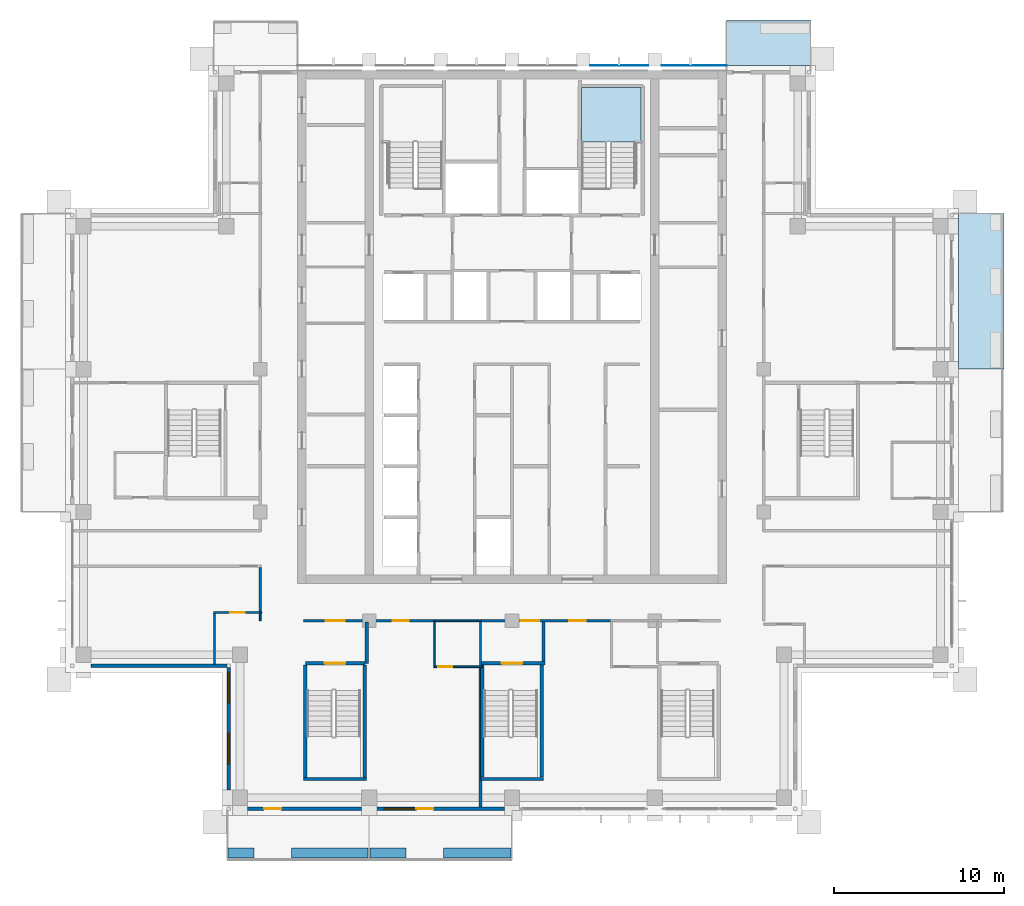
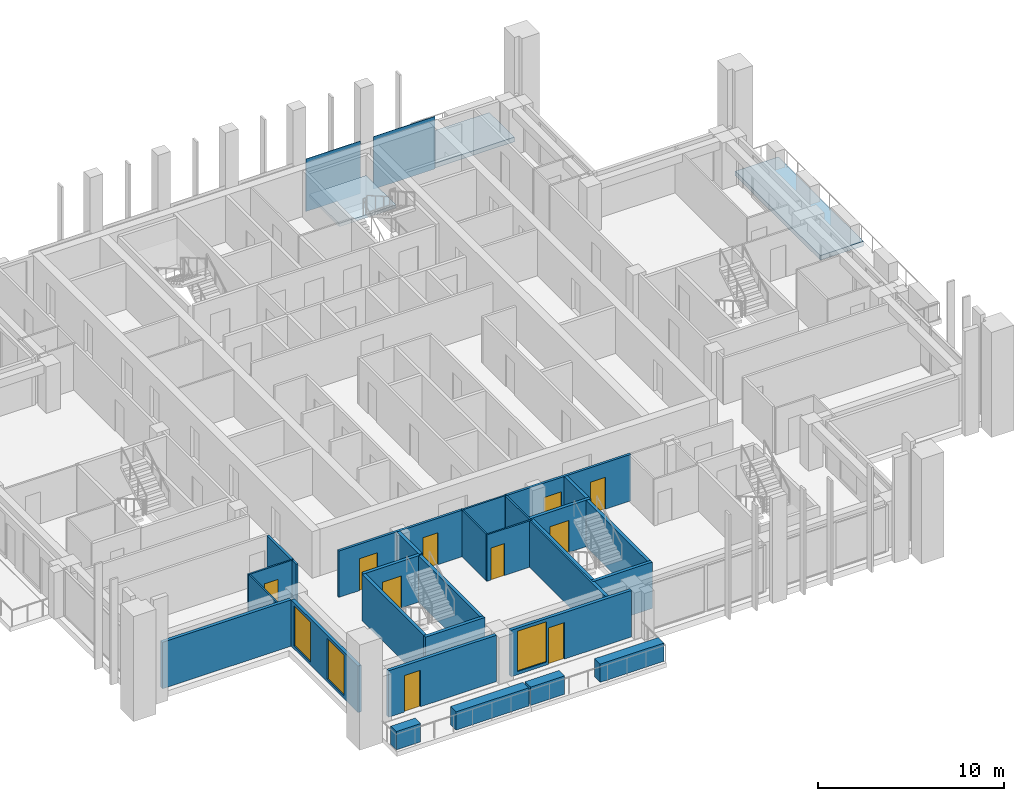
# One storey, part 6 of 16: 29 walls, 10 doors, 3 slabs, 3 windows, 2 plates, 13 openings, 1 element without a shape of its own.
"""IFC4 building model written with IfcOpenShell, lengths in metres."""

from ifc_helpers import new_model, si_unit, direction, frame, frame_2d, origin, origin_2d, place, context, subcontext, project, spatial, polyline, rectangle, outline, extrude, material, layer, layer_set, type_object, element, fill, aggregate, save


model = new_model("IFC4")

# Units and contexts
model_context = context("Model", 3, precision=1e-05, world=origin(), true_north=direction((0.0, 1.0)))
body_context = subcontext(model_context, "Body", "Model", "MODEL_VIEW")
ifc_project = project(units=[si_unit("LENGTHUNIT", "METRE"), si_unit("AREAUNIT", "SQUARE_METRE"), si_unit("VOLUMEUNIT", "CUBIC_METRE"), si_unit("PLANEANGLEUNIT", "RADIAN"), si_unit("MASSUNIT", "GRAM", prefix="KILO")], contexts=[model_context])

# Site, building, storey
site_placement = place(None, origin())
site = spatial("IfcSite", under=ifc_project, at=site_placement, CompositionType="ELEMENT")
building_placement = place(site_placement, origin())
building = spatial("IfcBuilding", under=site, at=building_placement, Name="Vermilion Ogive Tower", CompositionType="ELEMENT")
storey_placement = place(building_placement, frame((0.0, 0.0, 247.60009765625)))
storey = spatial("IfcBuildingStorey", under=building, at=storey_placement, Name="L65", CompositionType="ELEMENT", Elevation=247.60009765625)

# Slabs
ifc_material_1 = material(Name="Concrete B40", Category="concrete")
ifc_layer_1 = layer(ifc_material_1, 0.300048828125)
ifc_layer_set_1 = layer_set([ifc_layer_1], Name="Balcony slab")
slab_type_1 = type_object("IfcSlabType", Name="Balcony slab", PredefinedType="FLOOR", material=ifc_layer_set_1)
slab_1_placement = place(storey_placement, frame((0.0, 0.0, -0.340087890625)))
element("IfcSlab", 1, at=slab_1_placement, inside=storey, type_object=slab_type_1, Name="Balcony slab E03", PredefinedType="FLOOR", context=body_context, shape_type="SweptSolid", body=[
    extrude(outline(polyline([(28.93359375, 4.199951171875), (28.93359375, 13.35009765625), (26.25, 13.35009765625), (26.25, 4.199951171875), (28.93359375, 4.199951171875)])), origin(), (0.0, 0.0, 1.0), 0.300048828125),
])
slab_2_placement = place(storey_placement, frame((0.0, 0.0, -0.340087890625)))
element("IfcSlab", 2, at=slab_2_placement, inside=storey, type_object=slab_type_1, Name="Balcony slab N101", PredefinedType="FLOOR", context=body_context, shape_type="SweptSolid", body=[
    extrude(outline(polyline([(17.550048828125, 24.733642578125), (12.60009765625, 24.733642578125), (12.60009765625, 22.050048828125), (17.550048828125, 22.050048828125), (17.550048828125, 24.733642578125)])), origin(), (0.0, 0.0, 1.0), 0.300048828125),
])

# Plates
ifc_material_2 = material(Name="Low-iron laminated glazing in aluminium frame", Category="aluminium")
ifc_layer_2 = layer(ifc_material_2, 0.031982421875)
ifc_layer_set_2 = layer_set([ifc_layer_2], Name="Glazed rainscreen sheet 32")
plate_type = type_object("IfcPlateType", Name="Glazed rainscreen sheet 32", PredefinedType="SHEET", material=ifc_layer_set_2)
plate_1_placement = place(storey_placement, frame((6.300048828125, 22.06591796875, -0.39990234375), z_axis=(0.0, 0.0, 1.0), x_axis=(1.0, 0.0, 0.0)))
element("IfcPlate", 3, at=plate_1_placement, inside=storey, type_object=plate_type, Name="Glazed rainscreen sheet N5", PredefinedType="SHEET", context=body_context, shape_type="SweptSolid", body=[
    extrude(rectangle(XDim=3.39990234375, YDim=0.031982421875, at=origin_2d()), origin(), (0.0, 0.0, 1.0), 3.449951171875),
])
plate_2_placement = place(storey_placement, frame((10.7099609375, 22.06591796875, -0.39990234375), z_axis=(0.0, 0.0, 1.0), x_axis=(1.0, 0.0, 0.0)))
element("IfcPlate", 4, at=plate_2_placement, inside=storey, type_object=plate_type, Name="Glazed rainscreen sheet N6", PredefinedType="SHEET", context=body_context, shape_type="SweptSolid", body=[
    extrude(rectangle(XDim=3.820068359375, YDim=0.031982421875, at=origin_2d()), origin(), (0.0, 0.0, 1.0), 3.449951171875),
])

# Stair, slab
ifc_material_3 = material(Name="Concrete B40", Category="concrete")
stair_type = type_object("IfcStairType", Name="Exit stair 1500", PredefinedType="HALF_TURN_STAIR", material=ifc_material_3)
stair_placement = place(storey_placement, origin())
stair = element("IfcStair", 5, at=stair_placement, inside=storey, type_object=stair_type, Name="L65 Exit Stair ST2", PredefinedType="HALF_TURN_STAIR")
ifc_material_4 = material(Name="Concrete B40", Category="concrete")
ifc_layer_3 = layer(ifc_material_4, 0.199951171875)
ifc_layer_set_3 = layer_set([ifc_layer_3], Name="Stair landing 200")
slab_type_2 = type_object("IfcSlabType", Name="Stair landing 200", PredefinedType="LANDING", material=ifc_layer_set_3)
slab_3_placement = place(storey_placement, frame((0.0, 0.0, 1.52490234375)))
slab_3 = element("IfcSlab", 6, at=slab_3_placement, type_object=slab_type_2, Name="ST2 landing 1", PredefinedType="LANDING", context=body_context, shape_type="SweptSolid", body=[
    extrude(outline(polyline([(5.60009765625, 17.550048828125), (5.75, 17.550048828125), (5.75, 17.548095703125), (7.25, 17.548095703125), (7.25, 17.550048828125), (7.60009765625, 17.550048828125), (7.60009765625, 20.75), (4.074951171875, 20.75), (4.074951171875, 17.550048828125), (4.10009765625, 17.550048828125), (4.10009765625, 17.548095703125), (5.60009765625, 17.548095703125), (5.60009765625, 17.550048828125)])), origin(), (0.0, 0.0, 1.0), 0.199951171875),
])
aggregate(stair, [slab_3])

# Wall, opening, door
ifc_material_5 = material(Name="Gypsum board partition on steel studs", Category="steel")
ifc_layer_4 = layer(ifc_material_5, 0.10009765625)
ifc_layer_set_4 = layer_set([ifc_layer_4], Name="Partition 100 bath")
wall_type_1 = type_object("IfcWallType", Name="Partition 100 bath", PredefinedType="PARTITIONING", material=ifc_layer_set_4)
wall_1_placement = place(storey_placement, frame((-4.60009765625, -13.300048828125, 0.0), z_axis=(0.0, 0.0, 1.0), x_axis=(1.0, 0.0, 0.0)))
wall_1 = element("IfcWall", 7, at=wall_1_placement, inside=storey, type_object=wall_type_1, Name="L65-W-W002", PredefinedType="PARTITIONING", context=body_context, shape_type="SweptSolid", body=[
    extrude(rectangle(XDim=2.85009765625, YDim=0.10009765625, at=frame_2d((1.425048828125, 0.0))), origin(), (0.0, 0.0, 1.0), 3.0498046875),
])
opening_1_placement = place(wall_1_placement, frame((0.25, 0.0, 0.0)))
opening_1 = element("IfcOpeningElement", 8, at=opening_1_placement, cuts=wall_1, Name="Opening D5G4009", PredefinedType="OPENING", context=body_context, shape_type="SweptSolid", body=[
    extrude(rectangle(XDim=0.85009765625, YDim=2.10009765625, at=frame_2d((0.425048828125, 1.050048828125))), frame((0.0, 0.06005859375, 0.0), z_axis=(0.0, -1.0, 0.0), x_axis=(1.0, 0.0, 0.0)), (0.0, 0.0, 1.0), 0.1201171875),
])
ifc_material_6 = material(Name="Timber door leaf", Category="wood")
door_type_1 = type_object("IfcDoorType", Name="Bath door 850 x 2100 FD30", OperationType="SINGLE_SWING_LEFT", PredefinedType="DOOR", material=ifc_material_6)
door_1_placement = place(opening_1_placement, origin())
door_1 = element("IfcDoor", 9, at=door_1_placement, inside=storey, type_object=door_type_1, Name="L65-D-D009", OperationType="SINGLE_SWING_LEFT", OverallHeight=2.10009765625, OverallWidth=0.85009765625, PredefinedType="DOOR", context=body_context, shape_type="SweptSolid", body=[
    extrude(rectangle(XDim=0.85009765625, YDim=2.10009765625, at=frame_2d((0.425048828125, 1.050048828125))), frame((0.0, 0.02490234375, 0.0), z_axis=(0.0, -1.0, 0.0), x_axis=(1.0, 0.0, 0.0)), (0.0, 0.0, 1.0), 0.050048828125),
])
fill(opening_1, door_1)

# Wall
wall_2_placement = place(storey_placement, frame((-4.60009765625, -10.60009765625, 0.0), z_axis=(0.0, 0.0, 1.0), x_axis=(1.0, 0.0, 0.0)))
element("IfcWall", 10, at=wall_2_placement, inside=storey, type_object=wall_type_1, Name="L65-W-W009", PredefinedType="PARTITIONING", context=body_context, shape_type="SweptSolid", body=[
    extrude(rectangle(XDim=2.800048828125, YDim=0.10009765625, at=frame_2d((1.39990234375, 0.0))), origin(), (0.0, 0.0, 1.0), 3.0498046875),
])

# Wall, opening, door
wall_3_placement = place(storey_placement, frame((-17.550048828125, -10.110107421875, 0.0), z_axis=(0.0, 0.0, 1.0), x_axis=(1.0, 0.0, 0.0)))
wall_3 = element("IfcWall", 11, at=wall_3_placement, inside=storey, type_object=wall_type_1, Name="L65-W-W013", PredefinedType="PARTITIONING", context=body_context, shape_type="SweptSolid", body=[
    extrude(rectangle(XDim=2.824951171875, YDim=0.10009765625, at=frame_2d((1.41259765625, 0.0))), origin(), (0.0, 0.0, 1.0), 3.0498046875),
])
opening_2_placement = place(wall_3_placement, frame((0.97509765625, 0.0, 0.0)))
opening_2 = element("IfcOpeningElement", 12, at=opening_2_placement, cuts=wall_3, Name="Opening D5G4002", PredefinedType="OPENING", context=body_context, shape_type="SweptSolid", body=[
    extrude(rectangle(XDim=0.85009765625, YDim=2.10009765625, at=frame_2d((0.425048828125, 1.050048828125))), frame((0.0, 0.06005859375, 0.0), z_axis=(0.0, -1.0, 0.0), x_axis=(1.0, 0.0, 0.0)), (0.0, 0.0, 1.0), 0.1201171875),
])
door_2_placement = place(opening_2_placement, origin())
door_2 = element("IfcDoor", 13, at=door_2_placement, inside=storey, type_object=door_type_1, Name="L65-D-D002", OperationType="SINGLE_SWING_RIGHT", OverallHeight=2.10009765625, OverallWidth=0.85009765625, PredefinedType="DOOR", context=body_context, shape_type="SweptSolid", body=[
    extrude(rectangle(XDim=0.85009765625, YDim=2.10009765625, at=frame_2d((0.425048828125, 1.050048828125))), frame((0.0, 0.02490234375, 0.0), z_axis=(0.0, -1.0, 0.0), x_axis=(1.0, 0.0, 0.0)), (0.0, 0.0, 1.0), 0.050048828125),
])
fill(opening_2, door_2)

# Walls
wall_4_placement = place(storey_placement, frame((-17.5, -13.14990234375, 0.0), z_axis=(0.0, 0.0, 1.0), x_axis=(0.0, 1.0, 0.0)))
element("IfcWall", 14, at=wall_4_placement, inside=storey, type_object=wall_type_1, Name="L65-W-W038", PredefinedType="PARTITIONING", context=body_context, shape_type="SweptSolid", body=[
    extrude(rectangle(XDim=2.989990234375, YDim=0.10009765625, at=frame_2d((1.4951171875, 0.0))), origin(), (0.0, 0.0, 1.0), 3.0498046875),
])
wall_5_placement = place(storey_placement, frame((-14.800048828125, -10.60009765625, 0.0), z_axis=(0.0, 0.0, 1.0), x_axis=(0.0, 1.0, 0.0)))
element("IfcWall", 15, at=wall_5_placement, inside=storey, type_object=wall_type_1, Name="L65-W-W041", PredefinedType="PARTITIONING", context=body_context, shape_type="SweptSolid", body=[
    extrude(rectangle(XDim=0.440185546875, YDim=0.10009765625, at=frame_2d((0.22021484375, 0.0))), origin(), (0.0, 0.0, 1.0), 3.0498046875),
])
for number, where, z_axis, x_axis, name in (
    (16, (-4.550048828125, -13.25, 0.0), (0.0, 0.0, 1.0), (0.0, 1.0, 0.0), "L65-W-W047"),
    (17, (-1.85009765625, -13.25, 0.0), (0.0, 0.0, 1.0), (0.0, 1.0, 0.0), "L65-W-W049"),
):
    element("IfcWall", number, at=place(storey_placement, frame(where, z_axis=z_axis, x_axis=x_axis)), inside=storey, type_object=wall_type_1, Name=name, PredefinedType="PARTITIONING", context=body_context, shape_type="SweptSolid", body=[
        extrude(rectangle(XDim=2.574951171875, YDim=0.10009765625, at=frame_2d((1.28759765625, 0.0))), origin(), (0.0, 0.0, 1.0), 3.0498046875),
    ])

# Wall, openings, doors
ifc_material_7 = material(Name="Gypsum board partition on steel studs", Category="steel")
ifc_layer_5 = layer(ifc_material_7, 0.14990234375)
ifc_layer_set_5 = layer_set([ifc_layer_5], Name="Partition 150 corridor")
wall_type_2 = type_object("IfcWallType", Name="Partition 150 corridor", PredefinedType="PARTITIONING", material=ifc_layer_set_5)
wall_6_placement = place(storey_placement, frame((-12.25, -10.60009765625, 0.0), z_axis=(0.0, 0.0, 1.0), x_axis=(1.0, 0.0, 0.0)))
wall_6 = element("IfcWall", 18, at=wall_6_placement, inside=storey, type_object=wall_type_2, Name="L65-W-W008", PredefinedType="PARTITIONING", context=body_context, shape_type="SweptSolid", body=[
    extrude(rectangle(XDim=7.75, YDim=0.14990234375, at=frame_2d((3.875, 0.0))), origin(), (0.0, 0.0, 1.0), 3.0498046875),
])
opening_3_placement = place(wall_6_placement, frame((5.22509765625, 0.0, 0.0)))
opening_3 = element("IfcOpeningElement", 19, at=opening_3_placement, cuts=wall_6, Name="Opening D5G4008", PredefinedType="OPENING", context=body_context, shape_type="SweptSolid", body=[
    extrude(rectangle(XDim=0.949951171875, YDim=2.10009765625, at=frame_2d((0.47509765625, 1.050048828125))), frame((0.0, 0.0849609375, 0.0), z_axis=(0.0, -1.0, 0.0), x_axis=(1.0, 0.0, 0.0)), (0.0, 0.0, 1.0), 0.169921875),
])
opening_4_placement = place(wall_6_placement, frame((1.300048828125, 0.0, 0.0)))
opening_4 = element("IfcOpeningElement", 20, at=opening_4_placement, cuts=wall_6, Name="Opening D5G4020", PredefinedType="OPENING", context=body_context, shape_type="SweptSolid", body=[
    extrude(rectangle(XDim=1.10009765625, YDim=2.10009765625, at=frame_2d((0.550048828125, 1.050048828125))), frame((0.0, 0.0849609375, 0.0), z_axis=(0.0, -1.0, 0.0), x_axis=(1.0, 0.0, 0.0)), (0.0, 0.0, 1.0), 0.169921875),
])
ifc_material_8 = material(Name="Timber door leaf", Category="wood")
door_type_2 = type_object("IfcDoorType", Name="Stair door 1100 x 2100 FD60S", OperationType="SINGLE_SWING_LEFT", PredefinedType="DOOR", material=ifc_material_8)
door_3_placement = place(opening_4_placement, origin())
door_3 = element("IfcDoor", 21, at=door_3_placement, inside=storey, type_object=door_type_2, Name="L65-D-D020", OperationType="SINGLE_SWING_RIGHT", OverallHeight=2.10009765625, OverallWidth=1.10009765625, PredefinedType="DOOR", context=body_context, shape_type="SweptSolid", body=[
    extrude(rectangle(XDim=1.10009765625, YDim=2.10009765625, at=frame_2d((0.550048828125, 1.050048828125))), frame((0.0, 0.02490234375, 0.0), z_axis=(0.0, -1.0, 0.0), x_axis=(1.0, 0.0, 0.0)), (0.0, 0.0, 1.0), 0.050048828125),
])
fill(opening_4, door_3)
ifc_material_9 = material(Name="Timber door leaf", Category="wood")
door_type_3 = type_object("IfcDoorType", Name="Unit door 950 x 2100 FD30S", OperationType="SINGLE_SWING_LEFT", PredefinedType="DOOR", material=ifc_material_9)
door_4_placement = place(opening_3_placement, origin())
door_4 = element("IfcDoor", 22, at=door_4_placement, inside=storey, type_object=door_type_3, Name="L65-D-D008", OperationType="SINGLE_SWING_LEFT", OverallHeight=2.10009765625, OverallWidth=0.949951171875, PredefinedType="DOOR", context=body_context, shape_type="SweptSolid", body=[
    extrude(rectangle(XDim=0.949951171875, YDim=2.10009765625, at=frame_2d((0.47509765625, 1.050048828125))), frame((0.0, 0.02490234375, 0.0), z_axis=(0.0, -1.0, 0.0), x_axis=(1.0, 0.0, 0.0)), (0.0, 0.0, 1.0), 0.050048828125),
])
fill(opening_3, door_4)

wall_7_placement = place(storey_placement, frame((-1.89990234375, -10.60009765625, 0.0), z_axis=(0.0, 0.0, 1.0), x_axis=(1.0, 0.0, 0.0)))
wall_7 = element("IfcWall", 23, at=wall_7_placement, inside=storey, type_object=wall_type_2, Name="L65-W-W010", PredefinedType="PARTITIONING", context=body_context, shape_type="SweptSolid", body=[
    extrude(rectangle(XDim=7.7998046875, YDim=0.14990234375, at=frame_2d((3.89990234375, 0.0))), origin(), (0.0, 0.0, 1.0), 3.0498046875),
])
opening_5_placement = place(wall_7_placement, frame((5.27490234375, 0.0, 0.0)))
opening_5 = element("IfcOpeningElement", 24, at=opening_5_placement, cuts=wall_7, Name="Opening D5G4010", PredefinedType="OPENING", context=body_context, shape_type="SweptSolid", body=[
    extrude(rectangle(XDim=0.949951171875, YDim=2.10009765625, at=frame_2d((0.47509765625, 1.050048828125))), frame((0.0, 0.0849609375, 0.0), z_axis=(0.0, -1.0, 0.0), x_axis=(1.0, 0.0, 0.0)), (0.0, 0.0, 1.0), 0.169921875),
])
opening_6_placement = place(wall_7_placement, frame((2.39990234375, 0.0, 0.0)))
opening_6 = element("IfcOpeningElement", 25, at=opening_6_placement, cuts=wall_7, Name="Opening D5G4022", PredefinedType="OPENING", context=body_context, shape_type="SweptSolid", body=[
    extrude(rectangle(XDim=1.10009765625, YDim=2.10009765625, at=frame_2d((0.550048828125, 1.050048828125))), frame((0.0, 0.0849609375, 0.0), z_axis=(0.0, -1.0, 0.0), x_axis=(1.0, 0.0, 0.0)), (0.0, 0.0, 1.0), 0.169921875),
])
door_5_placement = place(opening_6_placement, origin())
door_5 = element("IfcDoor", 26, at=door_5_placement, inside=storey, type_object=door_type_2, Name="L65-D-D022", OperationType="SINGLE_SWING_LEFT", OverallHeight=2.10009765625, OverallWidth=1.10009765625, PredefinedType="DOOR", context=body_context, shape_type="SweptSolid", body=[
    extrude(rectangle(XDim=1.10009765625, YDim=2.10009765625, at=frame_2d((0.550048828125, 1.050048828125))), frame((0.0, 0.02490234375, 0.0), z_axis=(0.0, -1.0, 0.0), x_axis=(1.0, 0.0, 0.0)), (0.0, 0.0, 1.0), 0.050048828125),
])
fill(opening_6, door_5)
door_6_placement = place(opening_5_placement, origin())
door_6 = element("IfcDoor", 27, at=door_6_placement, inside=storey, type_object=door_type_3, Name="L65-D-D010", OperationType="SINGLE_SWING_LEFT", OverallHeight=2.10009765625, OverallWidth=0.949951171875, PredefinedType="DOOR", context=body_context, shape_type="SweptSolid", body=[
    extrude(rectangle(XDim=0.949951171875, YDim=2.10009765625, at=frame_2d((0.47509765625, 1.050048828125))), frame((0.0, 0.02490234375, 0.0), z_axis=(0.0, -1.0, 0.0), x_axis=(1.0, 0.0, 0.0)), (0.0, 0.0, 1.0), 0.050048828125),
])
fill(opening_5, door_6)

# Walls
wall_8_placement = place(storey_placement, frame((-14.800048828125, -10.06005859375, 0.0), z_axis=(0.0, 0.0, 1.0), x_axis=(0.0, 1.0, 0.0)))
element("IfcWall", 28, at=wall_8_placement, inside=storey, type_object=wall_type_2, Name="L65-W-W042", PredefinedType="PARTITIONING", context=body_context, shape_type="SweptSolid", body=[
    extrude(rectangle(XDim=2.5849609375, YDim=0.14990234375, at=frame_2d((1.29248046875, 0.0))), origin(), (0.0, 0.0, 1.0), 3.0498046875),
])
ifc_material_10 = material(Name="Gypsum board partition on steel studs", Category="steel")
ifc_layer_6 = layer(ifc_material_10, 0.199951171875)
ifc_layer_set_6 = layer_set([ifc_layer_6], Name="Partition 200 party")
wall_type_3 = type_object("IfcWallType", Name="Partition 200 party", PredefinedType="PARTITIONING", material=ifc_layer_set_6)
wall_9_placement = place(storey_placement, frame((-8.550048828125, -13.10009765625, 0.0), z_axis=(0.0, 0.0, 1.0), x_axis=(0.0, 1.0, 0.0)))
element("IfcWall", 29, at=wall_9_placement, inside=storey, type_object=wall_type_3, Name="L65-W-W046", PredefinedType="PARTITIONING", context=body_context, shape_type="SweptSolid", body=[
    extrude(rectangle(XDim=2.425048828125, YDim=0.199951171875, at=frame_2d((1.21240234375, 0.0))), origin(), (0.0, 0.0, 1.0), 3.0498046875),
])
wall_10_placement = place(storey_placement, frame((1.85009765625, -12.998046875, 0.0), z_axis=(0.0, 0.0, 1.0), x_axis=(0.0, 1.0, 0.0)))
element("IfcWall", 30, at=wall_10_placement, inside=storey, type_object=wall_type_3, Name="L65-W-W052", PredefinedType="PARTITIONING", context=body_context, shape_type="SweptSolid", body=[
    extrude(rectangle(XDim=2.322998046875, YDim=0.199951171875, at=frame_2d((1.16162109375, 0.0))), origin(), (0.0, 0.0, 1.0), 3.0498046875),
])
ifc_material_11 = material(Name="Concrete B60", Category="concrete")
ifc_layer_7 = layer(ifc_material_11, 0.199951171875)
ifc_layer_set_7 = layer_set([ifc_layer_7], Name="Stair shaft wall 200 Concrete B60")
wall_type_4 = type_object("IfcWallType", Name="Stair shaft wall 200 Concrete B60", PredefinedType="SOLIDWALL", material=ifc_layer_set_7)
wall_11_placement = place(storey_placement, frame((-1.847900390625, -19.89990234375, 0.0), z_axis=(0.0, 0.0, 1.0), x_axis=(1.0, 0.0, 0.0)))
element("IfcWall", 31, at=wall_11_placement, inside=storey, type_object=wall_type_4, Name="L65-W-W001", PredefinedType="SOLIDWALL", context=body_context, shape_type="SweptSolid", body=[
    extrude(rectangle(XDim=3.69580078125, YDim=0.199951171875, at=frame_2d((1.847900390625, 0.0))), origin(), (0.0, 0.0, 1.0), 3.0498046875),
])

# Wall, opening, door
wall_12_placement = place(storey_placement, frame((-12.14990234375, -13.10009765625, 0.0), z_axis=(0.0, 0.0, 1.0), x_axis=(1.0, 0.0, 0.0)))
wall_12 = element("IfcWall", 32, at=wall_12_placement, inside=storey, type_object=wall_type_4, Name="L65-W-W004", PredefinedType="SOLIDWALL", context=body_context, shape_type="SweptSolid", body=[
    extrude(rectangle(XDim=3.5, YDim=0.199951171875, at=frame_2d((1.75, 0.0))), origin(), (0.0, 0.0, 1.0), 3.0498046875),
])
opening_7_placement = place(wall_12_placement, frame((1.14990234375, 0.0, 0.0)))
opening_7 = element("IfcOpeningElement", 33, at=opening_7_placement, cuts=wall_12, Name="Opening D5G4021", PredefinedType="OPENING", context=body_context, shape_type="SweptSolid", body=[
    extrude(rectangle(XDim=1.199951171875, YDim=2.10009765625, at=frame_2d((0.60009765625, 1.050048828125))), frame((0.0, 0.10986328125, 0.0), z_axis=(0.0, -1.0, 0.0), x_axis=(1.0, 0.0, 0.0)), (0.0, 0.0, 1.0), 0.219970703125),
])
ifc_material_12 = material(Name="Timber door leaf", Category="wood")
door_type_4 = type_object("IfcDoorType", Name="Stair door 1200 x 2100 FD60S", OperationType="SINGLE_SWING_LEFT", PredefinedType="DOOR", material=ifc_material_12)
door_7_placement = place(opening_7_placement, origin())
door_7 = element("IfcDoor", 34, at=door_7_placement, inside=storey, type_object=door_type_4, Name="L65-D-D021", OperationType="SINGLE_SWING_RIGHT", OverallHeight=2.10009765625, OverallWidth=1.199951171875, PredefinedType="DOOR", context=body_context, shape_type="SweptSolid", body=[
    extrude(rectangle(XDim=1.199951171875, YDim=2.10009765625, at=frame_2d((0.60009765625, 1.050048828125))), frame((0.0, 0.02490234375, 0.0), z_axis=(0.0, -1.0, 0.0), x_axis=(1.0, 0.0, 0.0)), (0.0, 0.0, 1.0), 0.050048828125),
])
fill(opening_7, door_7)

wall_13_placement = place(storey_placement, frame((-1.798095703125, -13.10009765625, 0.0), z_axis=(0.0, 0.0, 1.0), x_axis=(1.0, 0.0, 0.0)))
wall_13 = element("IfcWall", 35, at=wall_13_placement, inside=storey, type_object=wall_type_4, Name="L65-W-W005", PredefinedType="SOLIDWALL", context=body_context, shape_type="SweptSolid", body=[
    extrude(rectangle(XDim=3.74609375, YDim=0.199951171875, at=frame_2d((1.873046875, 0.0))), origin(), (0.0, 0.0, 1.0), 3.0498046875),
])
opening_8_placement = place(wall_13_placement, frame((1.197998046875, 0.0, 0.0)))
opening_8 = element("IfcOpeningElement", 36, at=opening_8_placement, cuts=wall_13, Name="Opening D5G4023", PredefinedType="OPENING", context=body_context, shape_type="SweptSolid", body=[
    extrude(rectangle(XDim=1.199951171875, YDim=2.10009765625, at=frame_2d((0.60009765625, 1.050048828125))), frame((0.0, 0.10986328125, 0.0), z_axis=(0.0, -1.0, 0.0), x_axis=(1.0, 0.0, 0.0)), (0.0, 0.0, 1.0), 0.219970703125),
])
door_8_placement = place(opening_8_placement, origin())
door_8 = element("IfcDoor", 37, at=door_8_placement, inside=storey, type_object=door_type_4, Name="L65-D-D023", OperationType="SINGLE_SWING_RIGHT", OverallHeight=2.10009765625, OverallWidth=1.199951171875, PredefinedType="DOOR", context=body_context, shape_type="SweptSolid", body=[
    extrude(rectangle(XDim=1.199951171875, YDim=2.10009765625, at=frame_2d((0.60009765625, 1.050048828125))), frame((0.0, 0.02490234375, 0.0), z_axis=(0.0, -1.0, 0.0), x_axis=(1.0, 0.0, 0.0)), (0.0, 0.0, 1.0), 0.050048828125),
])
fill(opening_8, door_8)

# Walls
for number, where, z_axis, x_axis, name in (
    (38, (-1.75, -19.798095703125, 0.0), (0.0, 0.0, 1.0), (0.0, 1.0, 0.0), "L65-W-W050"),
    (39, (1.75, -19.798095703125, 0.0), (0.0, 0.0, 1.0), (0.0, 1.0, 0.0), "L65-W-W051"),
):
    element("IfcWall", number, at=place(storey_placement, frame(where, z_axis=z_axis, x_axis=x_axis)), inside=storey, type_object=wall_type_4, Name=name, PredefinedType="SOLIDWALL", context=body_context, shape_type="SweptSolid", body=[
        extrude(rectangle(XDim=6.59619140625, YDim=0.199951171875, at=frame_2d((3.298095703125, 0.0))), origin(), (0.0, 0.0, 1.0), 3.0498046875),
    ])
wall_14_placement = place(storey_placement, frame((-12.25, -19.89990234375, 0.0), z_axis=(0.0, 0.0, 1.0), x_axis=(1.0, 0.0, 0.0)))
element("IfcWall", 40, at=wall_14_placement, inside=storey, type_object=wall_type_4, Name="L65-SW-ST3-S1", PredefinedType="SOLIDWALL", context=body_context, shape_type="SweptSolid", body=[
    extrude(rectangle(XDim=3.699951171875, YDim=0.199951171875, at=frame_2d((1.85009765625, 0.0))), origin(), (0.0, 0.0, 1.0), 3.0498046875),
])
for number, where, z_axis, x_axis, name in (
    (41, (-12.14990234375, -19.800048828125, 0.0), (0.0, 0.0, 1.0), (0.0, 1.0, 0.0), "L65-SW-ST3-W1"),
    (42, (-8.64990234375, -19.800048828125, 0.0), (0.0, 0.0, 1.0), (0.0, 1.0, 0.0), "L65-SW-ST3-E1"),
):
    element("IfcWall", number, at=place(storey_placement, frame(where, z_axis=z_axis, x_axis=x_axis)), inside=storey, type_object=wall_type_4, Name=name, PredefinedType="SOLIDWALL", context=body_context, shape_type="SweptSolid", body=[
        extrude(rectangle(XDim=6.60009765625, YDim=0.199951171875, at=frame_2d((3.300048828125, 0.0))), origin(), (0.0, 0.0, 1.0), 3.0498046875),
    ])
wall_15_placement = place(storey_placement, frame((-1.85009765625, -21.550048828125, 0.0), z_axis=(0.0, 0.0, 1.0), x_axis=(0.0, 1.0, 0.0)))
element("IfcWall", 43, at=wall_15_placement, inside=storey, type_object=wall_type_4, Name="L65-W-W048-A", PredefinedType="SOLIDWALL", context=body_context, shape_type="SweptSolid", body=[
    extrude(rectangle(XDim=8.199951171875, YDim=0.199951171875, at=frame_2d((4.10009765625, 0.0))), origin(), (0.0, 0.0, 1.0), 3.0498046875),
])
ifc_material_13 = material(Name="Concrete B40", Category="concrete")
ifc_layer_8 = layer(ifc_material_13, 0.60009765625)
ifc_layer_set_8 = layer_set([ifc_layer_8], Name="Structural planter")
wall_type_5 = type_object("IfcWallType", Name="Structural planter", PredefinedType="USERDEFINED", material=ifc_layer_set_8)
wall_16_placement = place(storey_placement, frame((-16.68994140625, -24.253662109375, -0.0400390625), z_axis=(0.0, 0.0, 1.0), x_axis=(1.0, 0.0, 0.0)))
element("IfcWall", 44, at=wall_16_placement, inside=storey, type_object=wall_type_5, Name="Planter S01A1", ObjectType="PLANTER", PredefinedType="USERDEFINED", context=body_context, shape_type="SweptSolid", body=[
    extrude(rectangle(XDim=1.514892578125, YDim=0.60009765625, at=frame_2d((0.75732421875, 0.0))), origin(), (0.0, 0.0, 1.0), 1.199951171875),
])
wall_17_placement = place(storey_placement, frame((-12.97509765625, -24.253662109375, -0.0400390625), z_axis=(0.0, 0.0, 1.0), x_axis=(1.0, 0.0, 0.0)))
element("IfcWall", 45, at=wall_17_placement, inside=storey, type_object=wall_type_5, Name="Planter S01A2", ObjectType="PLANTER", PredefinedType="USERDEFINED", context=body_context, shape_type="SweptSolid", body=[
    extrude(rectangle(XDim=4.51513671875, YDim=0.60009765625, at=frame_2d((2.257568359375, 0.0))), origin(), (0.0, 0.0, 1.0), 1.199951171875),
])
wall_18_placement = place(storey_placement, frame((-8.340087890625, -24.253662109375, -0.0400390625), z_axis=(0.0, 0.0, 1.0), x_axis=(1.0, 0.0, 0.0)))
element("IfcWall", 46, at=wall_18_placement, inside=storey, type_object=wall_type_5, Name="Planter S02A1", ObjectType="PLANTER", PredefinedType="USERDEFINED", context=body_context, shape_type="SweptSolid", body=[
    extrude(rectangle(XDim=2.114990234375, YDim=0.60009765625, at=frame_2d((1.0576171875, 0.0))), origin(), (0.0, 0.0, 1.0), 1.199951171875),
])
wall_19_placement = place(storey_placement, frame((-4.02490234375, -24.253662109375, -0.0400390625), z_axis=(0.0, 0.0, 1.0), x_axis=(1.0, 0.0, 0.0)))
element("IfcWall", 47, at=wall_19_placement, inside=storey, type_object=wall_type_5, Name="Planter S02A2", ObjectType="PLANTER", PredefinedType="USERDEFINED", context=body_context, shape_type="SweptSolid", body=[
    extrude(rectangle(XDim=3.96484375, YDim=0.60009765625, at=frame_2d((1.982421875, 0.0))), origin(), (0.0, 0.0, 1.0), 1.199951171875),
])

# Wall, opening, door
ifc_material_14 = material(Name="Aluminium window wall framing", Category="aluminium")
ifc_layer_9 = layer(ifc_material_14, 0.199951171875)
ifc_layer_set_9 = layer_set([ifc_layer_9], Name="Window wall")
wall_type_6 = type_object("IfcWallType", Name="Window wall", PredefinedType="STANDARD", material=ifc_layer_set_9)
wall_20_placement = place(storey_placement, frame((-15.550048828125, -21.64990234375, 0.0), z_axis=(0.0, 0.0, 1.0), x_axis=(1.0, 0.0, 0.0)))
wall_20 = element("IfcWall", 48, at=wall_20_placement, inside=storey, type_object=wall_type_6, Name="Window wall S1", PredefinedType="STANDARD", context=body_context, shape_type="SweptSolid", body=[
    extrude(rectangle(XDim=6.699951171875, YDim=0.199951171875, at=frame_2d((3.35009765625, 0.0))), origin(), (0.0, 0.0, 1.0), 3.0498046875),
])
opening_9_placement = place(wall_20_placement, frame((0.97509765625, 0.0, 0.0)))
opening_9 = element("IfcOpeningElement", 49, at=opening_9_placement, cuts=wall_20, Name="Opening D1-S96K", PredefinedType="OPENING", context=body_context, shape_type="SweptSolid", body=[
    extrude(rectangle(XDim=1.0, YDim=2.39990234375, at=frame_2d((0.5, 1.199951171875))), frame((0.0, 0.10986328125, 0.0), z_axis=(0.0, -1.0, 0.0), x_axis=(1.0, 0.0, 0.0)), (0.0, 0.0, 1.0), 0.219970703125),
])
ifc_material_15 = material(Name="Aluminium framed glazed door", Category="aluminium")
door_type_5 = type_object("IfcDoorType", Name="Balcony door D1", OperationType="SINGLE_SWING_LEFT", PredefinedType="DOOR", material=ifc_material_15)
door_9_placement = place(opening_9_placement, origin())
door_9 = element("IfcDoor", 50, at=door_9_placement, inside=storey, type_object=door_type_5, Name="Balcony door S96K", OperationType="SINGLE_SWING_LEFT", OverallHeight=2.39990234375, OverallWidth=1.0, PredefinedType="DOOR", context=body_context, shape_type="SweptSolid", body=[
    extrude(rectangle(XDim=1.0, YDim=2.39990234375, at=frame_2d((0.5, 1.199951171875))), frame((0.0, 0.02490234375, 0.0), z_axis=(0.0, -1.0, 0.0), x_axis=(1.0, 0.0, 0.0)), (0.0, 0.0, 1.0), 0.050048828125),
])
fill(opening_9, door_9)

# Wall, openings, door, window
wall_21_placement = place(storey_placement, frame((-7.949951171875, -21.64990234375, 0.0), z_axis=(0.0, 0.0, 1.0), x_axis=(1.0, 0.0, 0.0)))
wall_21 = element("IfcWall", 51, at=wall_21_placement, inside=storey, type_object=wall_type_6, Name="Window wall S2", PredefinedType="STANDARD", context=body_context, shape_type="SweptSolid", body=[
    extrude(rectangle(XDim=7.5, YDim=0.199951171875, at=frame_2d((3.75, 0.0))), origin(), (0.0, 0.0, 1.0), 3.0498046875),
])
opening_10_placement = place(wall_21_placement, frame((0.425048828125, 0.0, 0.199951171875)))
opening_10 = element("IfcOpeningElement", 52, at=opening_10_placement, cuts=wall_21, Name="Opening W1-S98", PredefinedType="OPENING", context=body_context, shape_type="SweptSolid", body=[
    extrude(rectangle(XDim=1.800048828125, YDim=2.64990234375, at=frame_2d((0.89990234375, 1.324951171875))), frame((0.0, 0.10986328125, 0.0), z_axis=(0.0, -1.0, 0.0), x_axis=(1.0, 0.0, 0.0)), (0.0, 0.0, 1.0), 0.219970703125),
])
opening_11_placement = place(wall_21_placement, frame((2.324951171875, 0.0, 0.0)))
opening_11 = element("IfcOpeningElement", 53, at=opening_11_placement, cuts=wall_21, Name="Opening D1-S98", PredefinedType="OPENING", context=body_context, shape_type="SweptSolid", body=[
    extrude(rectangle(XDim=1.0, YDim=2.39990234375, at=frame_2d((0.5, 1.199951171875))), frame((0.0, 0.10986328125, 0.0), z_axis=(0.0, -1.0, 0.0), x_axis=(1.0, 0.0, 0.0)), (0.0, 0.0, 1.0), 0.219970703125),
])
door_10_placement = place(opening_11_placement, origin())
door_10 = element("IfcDoor", 54, at=door_10_placement, inside=storey, type_object=door_type_5, Name="Balcony door S98", OperationType="SINGLE_SWING_LEFT", OverallHeight=2.39990234375, OverallWidth=1.0, PredefinedType="DOOR", context=body_context, shape_type="SweptSolid", body=[
    extrude(rectangle(XDim=1.0, YDim=2.39990234375, at=frame_2d((0.5, 1.199951171875))), frame((0.0, 0.02490234375, 0.0), z_axis=(0.0, -1.0, 0.0), x_axis=(1.0, 0.0, 0.0)), (0.0, 0.0, 1.0), 0.050048828125),
])
fill(opening_11, door_10)
ifc_material_16 = material(Name="Aluminium framed double glazing", Category="aluminium")
window_type = type_object("IfcWindowType", Name="Guest window W1", PartitioningType="SINGLE_PANEL", PredefinedType="WINDOW", material=ifc_material_16)
window_1_placement = place(opening_10_placement, origin())
window_1 = element("IfcWindow", 55, at=window_1_placement, inside=storey, type_object=window_type, Name="Window S98", OverallHeight=2.64990234375, OverallWidth=1.800048828125, PartitioningType="SINGLE_PANEL", PredefinedType="WINDOW", context=body_context, shape_type="SweptSolid", body=[
    extrude(rectangle(XDim=1.800048828125, YDim=2.64990234375, at=frame_2d((0.89990234375, 1.324951171875))), frame((0.0, 0.030029296875, 0.0), z_axis=(0.0, -1.0, 0.0), x_axis=(1.0, 0.0, 0.0)), (0.0, 0.0, 1.0), 0.06005859375),
])
fill(opening_10, window_1)

# Wall
wall_22_placement = place(storey_placement, frame((-24.75, -13.25, 0.0), z_axis=(0.0, 0.0, 1.0), x_axis=(1.0, 0.0, 0.0)))
element("IfcWall", 56, at=wall_22_placement, inside=storey, type_object=wall_type_6, Name="Window wall X71", PredefinedType="STANDARD", context=body_context, shape_type="SweptSolid", body=[
    extrude(rectangle(XDim=8.0, YDim=0.199951171875, at=frame_2d((4.0, 0.0))), origin(), (0.0, 0.0, 1.0), 3.0498046875),
])

# Wall, openings, windows
wall_23_placement = place(storey_placement, frame((-16.64990234375, -13.35009765625, 0.0), z_axis=(0.0, 0.0, 1.0), x_axis=(0.0, -1.0, 0.0)))
wall_23 = element("IfcWall", 57, at=wall_23_placement, inside=storey, type_object=wall_type_6, Name="Window wall X81", PredefinedType="STANDARD", context=body_context, shape_type="SweptSolid", body=[
    extrude(rectangle(XDim=7.199951171875, YDim=0.199951171875, at=frame_2d((3.60009765625, 0.0))), origin(), (0.0, 0.0, 1.0), 3.0498046875),
])
opening_12_placement = place(wall_23_placement, frame((3.875, 0.0, 0.199951171875)))
opening_12 = element("IfcOpeningElement", 58, at=opening_12_placement, cuts=wall_23, Name="Opening W1-X895", PredefinedType="OPENING", context=body_context, shape_type="SweptSolid", body=[
    extrude(rectangle(XDim=1.800048828125, YDim=2.64990234375, at=frame_2d((0.89990234375, 1.324951171875))), frame((0.0, 0.10986328125, 0.0), z_axis=(0.0, -1.0, 0.0), x_axis=(1.0, 0.0, 0.0)), (0.0, 0.0, 1.0), 0.219970703125),
])
opening_13_placement = place(wall_23_placement, frame((0.27490234375, 0.0, 0.199951171875)))
opening_13 = element("IfcOpeningElement", 59, at=opening_13_placement, cuts=wall_23, Name="Opening W1-X896", PredefinedType="OPENING", context=body_context, shape_type="SweptSolid", body=[
    extrude(rectangle(XDim=1.800048828125, YDim=2.64990234375, at=frame_2d((0.89990234375, 1.324951171875))), frame((0.0, 0.10986328125, 0.0), z_axis=(0.0, -1.0, 0.0), x_axis=(1.0, 0.0, 0.0)), (0.0, 0.0, 1.0), 0.219970703125),
])
window_2_placement = place(opening_12_placement, origin())
window_2 = element("IfcWindow", 60, at=window_2_placement, inside=storey, type_object=window_type, Name="Window X895", OverallHeight=2.64990234375, OverallWidth=1.800048828125, PartitioningType="SINGLE_PANEL", PredefinedType="WINDOW", context=body_context, shape_type="SweptSolid", body=[
    extrude(rectangle(XDim=1.800048828125, YDim=2.64990234375, at=frame_2d((0.89990234375, 1.324951171875))), frame((0.0, 0.030029296875, 0.0), z_axis=(0.0, -1.0, 0.0), x_axis=(1.0, 0.0, 0.0)), (0.0, 0.0, 1.0), 0.06005859375),
])
fill(opening_12, window_2)
window_3_placement = place(opening_13_placement, origin())
window_3 = element("IfcWindow", 61, at=window_3_placement, inside=storey, type_object=window_type, Name="Window X896", OverallHeight=2.64990234375, OverallWidth=1.800048828125, PartitioningType="SINGLE_PANEL", PredefinedType="WINDOW", context=body_context, shape_type="SweptSolid", body=[
    extrude(rectangle(XDim=1.800048828125, YDim=2.64990234375, at=frame_2d((0.89990234375, 1.324951171875))), frame((0.0, 0.030029296875, 0.0), z_axis=(0.0, -1.0, 0.0), x_axis=(1.0, 0.0, 0.0)), (0.0, 0.0, 1.0), 0.06005859375),
])
fill(opening_13, window_3)

save(model, "model.ifc")
